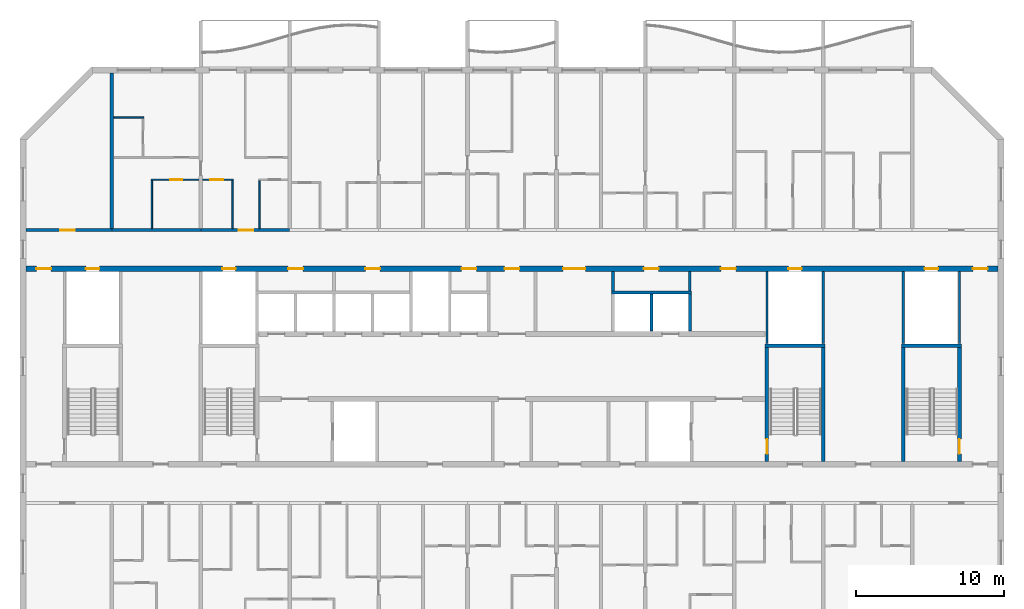
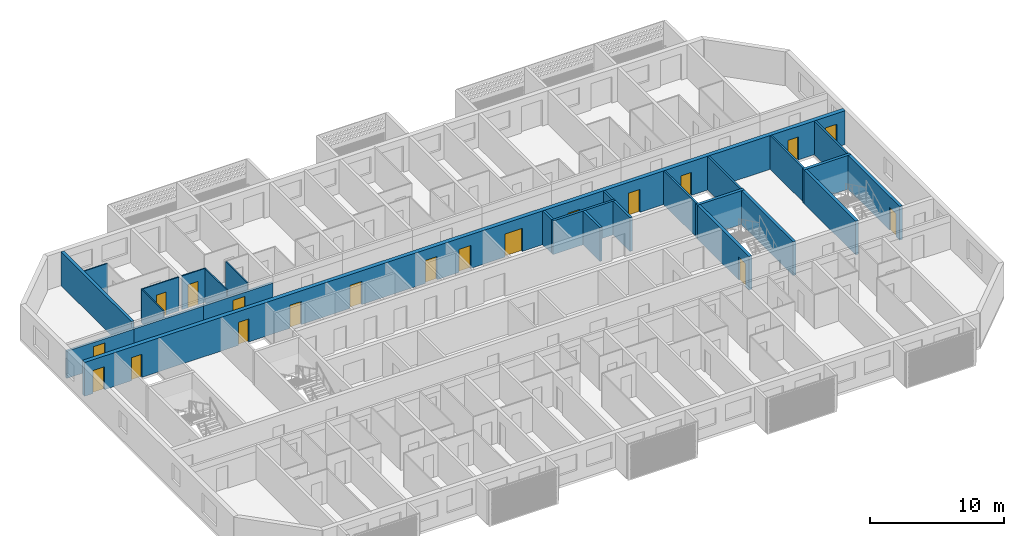
# One storey, part 7 of 26: 26 walls, 19 doors, 19 openings.
"""IFC4 building model written with IfcOpenShell, lengths in metres."""

from ifc_helpers import new_model, si_unit, direction, frame, frame_2d, origin, place, context, subcontext, project, spatial, rectangle, extrude, material, layer, layer_set, type_object, element, fill, save


model = new_model("IFC4")

# Units and contexts
model_context = context("Model", 3, precision=1e-05, world=origin(), true_north=direction((0.0, 1.0)))
body_context = subcontext(model_context, "Body", "Model", "MODEL_VIEW")
ifc_project = project(units=[si_unit("LENGTHUNIT", "METRE"), si_unit("AREAUNIT", "SQUARE_METRE"), si_unit("VOLUMEUNIT", "CUBIC_METRE"), si_unit("PLANEANGLEUNIT", "RADIAN"), si_unit("MASSUNIT", "GRAM", prefix="KILO")], contexts=[model_context])

# Site, building, storey
site_placement = place(None, origin())
site = spatial("IfcSite", under=ifc_project, at=site_placement, CompositionType="ELEMENT")
building_placement = place(site_placement, origin())
building = spatial("IfcBuilding", under=site, at=building_placement, Name="Poui Terraces", CompositionType="ELEMENT")
storey_placement = place(building_placement, frame((0.0, 0.0, 224.699951171875)))
storey = spatial("IfcBuildingStorey", under=building, at=storey_placement, Name="L62", CompositionType="ELEMENT", Elevation=224.699951171875)

# Wall, opening, door
ifc_material_1 = material(Name="Concrete 50 MPa", Category="concrete")
ifc_layer_1 = layer(ifc_material_1, 0.199951171875)
ifc_layer_set_1 = layer_set([ifc_layer_1], Name="Concrete 50 MPa")
wall_type_1 = type_object("IfcWallType", Name="CORRIDOR WALL 200 50MPa", PredefinedType="SHEAR", material=ifc_layer_set_1)
wall_1_placement = place(storey_placement, frame((18.199951171875, 30.39990234375, 0.0), z_axis=(0.0, 0.0, 1.0), x_axis=(1.0, 0.0, 0.0)))
wall_1 = element("IfcWall", 1, at=wall_1_placement, inside=storey, type_object=wall_type_1, Name="CORRIDOR WALL LINE E BAY 1", PredefinedType="SHEAR", context=body_context, shape_type="SweptSolid", body=[
    extrude(rectangle(XDim=5.800048828125, YDim=0.199951171875, at=frame_2d((2.89990234375, 0.0))), origin(), (0.0, 0.0, 1.0), 2.47998046875),
])
opening_1_placement = place(wall_1_placement, frame((2.300048828125, 0.0, 0.0)))
opening_1 = element("IfcOpeningElement", 2, at=opening_1_placement, cuts=wall_1, Name="Opening D100", PredefinedType="OPENING", context=body_context, shape_type="SweptSolid", body=[
    extrude(rectangle(XDim=1.0, YDim=2.10009765625, at=frame_2d((0.5, 1.050048828125))), frame((0.0, 0.10986328125, 0.0), z_axis=(0.0, -1.0, 0.0), x_axis=(1.0, 0.0, 0.0)), (0.0, 0.0, 1.0), 0.219970703125),
])
ifc_material_2 = material(Name="Solid core timber door", Category="wood")
door_type_1 = type_object("IfcDoorType", Name="ACCESSIBLE INTERNAL DOOR 1000 X 2100", OperationType="NOTDEFINED", PredefinedType="DOOR", material=ifc_material_2)
door_1_placement = place(opening_1_placement, origin())
door_1 = element("IfcDoor", 3, at=door_1_placement, inside=storey, type_object=door_type_1, Name="ACCESSIBLE INTERNAL DOOR 024", OperationType="SINGLE_SWING_LEFT", OverallHeight=2.10009765625, OverallWidth=1.0, PredefinedType="DOOR", context=body_context, shape_type="SweptSolid", body=[
    extrude(rectangle(XDim=1.0, YDim=2.10009765625, at=frame_2d((0.5, 1.050048828125))), frame((0.0, 0.02490234375, 0.0), z_axis=(0.0, -1.0, 0.0), x_axis=(1.0, 0.0, 0.0)), (0.0, 0.0, 1.0), 0.050048828125),
])
fill(opening_1, door_1)

# Wall
wall_2_placement = place(storey_placement, frame((24.0, 30.39990234375, 0.0), z_axis=(0.0, 0.0, 1.0), x_axis=(1.0, 0.0, 0.0)))
element("IfcWall", 4, at=wall_2_placement, inside=storey, type_object=wall_type_1, Name="CORRIDOR WALL LINE E BAY 2", PredefinedType="SHEAR", context=body_context, shape_type="SweptSolid", body=[
    extrude(rectangle(XDim=6.0, YDim=0.199951171875, at=frame_2d((3.0, 0.0))), origin(), (0.0, 0.0, 1.0), 2.47998046875),
])

# Wall, opening, door
wall_3_placement = place(storey_placement, frame((30.0, 30.39990234375, 0.0), z_axis=(0.0, 0.0, 1.0), x_axis=(1.0, 0.0, 0.0)))
wall_3 = element("IfcWall", 5, at=wall_3_placement, inside=storey, type_object=wall_type_1, Name="CORRIDOR WALL LINE E BAY 3", PredefinedType="SHEAR", context=body_context, shape_type="SweptSolid", body=[
    extrude(rectangle(XDim=6.0, YDim=0.199951171875, at=frame_2d((3.0, 0.0))), origin(), (0.0, 0.0, 1.0), 2.47998046875),
])
opening_2_placement = place(wall_3_placement, frame((2.550048828125, 0.0, 0.0)))
opening_2 = element("IfcOpeningElement", 6, at=opening_2_placement, cuts=wall_3, Name="Opening FD30S", PredefinedType="OPENING", context=body_context, shape_type="SweptSolid", body=[
    extrude(rectangle(XDim=1.0, YDim=2.10009765625, at=frame_2d((0.5, 1.050048828125))), frame((0.0, 0.10986328125, 0.0), z_axis=(0.0, -1.0, 0.0), x_axis=(1.0, 0.0, 0.0)), (0.0, 0.0, 1.0), 0.219970703125),
])
ifc_material_3 = material(Name="Steel fire door", Category="steel")
door_type_2 = type_object("IfcDoorType", Name="FLAT ENTRANCE DOOR 1000 X 2100", OperationType="NOTDEFINED", PredefinedType="DOOR", material=ifc_material_3)
door_2_placement = place(opening_2_placement, origin())
door_2 = element("IfcDoor", 7, at=door_2_placement, inside=storey, type_object=door_type_2, Name="FLAT ENTRANCE DOOR 029", OperationType="SINGLE_SWING_RIGHT", OverallHeight=2.10009765625, OverallWidth=1.0, PredefinedType="DOOR", context=body_context, shape_type="SweptSolid", body=[
    extrude(rectangle(XDim=1.0, YDim=2.10009765625, at=frame_2d((0.5, 1.050048828125))), frame((0.0, 0.02490234375, 0.0), z_axis=(0.0, -1.0, 0.0), x_axis=(1.0, 0.0, 0.0)), (0.0, 0.0, 1.0), 0.050048828125),
])
fill(opening_2, door_2)

# Wall
ifc_layer_2 = layer(ifc_material_1, 0.25)
ifc_layer_set_2 = layer_set([ifc_layer_2], Name="Concrete 50 MPa")
wall_type_2 = type_object("IfcWallType", Name="CROSS WALL 250 50MPa", PredefinedType="SHEAR", material=ifc_layer_set_2)
wall_4_placement = place(storey_placement, frame((24.0, 30.5, 0.0), z_axis=(0.0, 0.0, 1.0), x_axis=(0.0, 1.0, 0.0)))
element("IfcWall", 8, at=wall_4_placement, inside=storey, type_object=wall_type_2, Name="CROSS WALL LINE 5 NORTH", PredefinedType="SHEAR", context=body_context, shape_type="SweptSolid", body=[
    extrude(rectangle(XDim=10.5, YDim=0.25, at=frame_2d((5.25, 0.0))), origin(), (0.0, 0.0, 1.0), 3.080078125),
])

# Wall, opening, door
ifc_material_4 = material(Name="Plasterboard partition")
ifc_layer_3 = layer(ifc_material_4, 0.10009765625)
ifc_layer_set_3 = layer_set([ifc_layer_3], Name="Plasterboard partition")
wall_type_3 = type_object("IfcWallType", Name="FLAT PARTITION 100", PredefinedType="PARTITIONING", material=ifc_layer_set_3)
wall_5_placement = place(storey_placement, frame((26.64990234375, 33.800048828125, 0.0), z_axis=(0.0, 0.0, 1.0), x_axis=(1.0, 0.0, 0.0)))
wall_5 = element("IfcWall", 9, at=wall_5_placement, inside=storey, type_object=wall_type_3, Name="FLAT PARTITION 100", PredefinedType="PARTITIONING", context=body_context, shape_type="SweptSolid", body=[
    extrude(rectangle(XDim=3.215087890625, YDim=0.10009765625, at=frame_2d((1.607421875, 0.0))), origin(), (0.0, 0.0, 1.0), 3.080078125),
])
opening_3_placement = place(wall_5_placement, frame((1.300048828125, 0.0, 0.0)))
opening_3 = element("IfcOpeningElement", 10, at=opening_3_placement, cuts=wall_5, Name="Opening D80", PredefinedType="OPENING", context=body_context, shape_type="SweptSolid", body=[
    extrude(rectangle(XDim=0.800048828125, YDim=2.10009765625, at=frame_2d((0.39990234375, 1.050048828125))), frame((0.0, 0.06005859375, 0.0), z_axis=(0.0, -1.0, 0.0), x_axis=(1.0, 0.0, 0.0)), (0.0, 0.0, 1.0), 0.1201171875),
])
door_type_3 = type_object("IfcDoorType", Name="BATHROOM, LAUNDRY AND STORE DOOR 800 X 2100", OperationType="NOTDEFINED", PredefinedType="DOOR", material=ifc_material_2)
door_3_placement = place(opening_3_placement, origin())
door_3 = element("IfcDoor", 11, at=door_3_placement, inside=storey, type_object=door_type_3, Name="BATHROOM, LAUNDRY AND STORE DOOR 025", OperationType="SINGLE_SWING_LEFT", OverallHeight=2.10009765625, OverallWidth=0.800048828125, PredefinedType="DOOR", context=body_context, shape_type="SweptSolid", body=[
    extrude(rectangle(XDim=0.800048828125, YDim=2.10009765625, at=frame_2d((0.39990234375, 1.050048828125))), frame((0.0, 0.02490234375, 0.0), z_axis=(0.0, -1.0, 0.0), x_axis=(1.0, 0.0, 0.0)), (0.0, 0.0, 1.0), 0.050048828125),
])
fill(opening_3, door_3)

wall_6_placement = place(storey_placement, frame((30.135009765625, 33.800048828125, 0.0), z_axis=(0.0, 0.0, 1.0), x_axis=(1.0, 0.0, 0.0)))
wall_6 = element("IfcWall", 12, at=wall_6_placement, inside=storey, type_object=wall_type_3, Name="FLAT PARTITION 100", PredefinedType="PARTITIONING", context=body_context, shape_type="SweptSolid", body=[
    extrude(rectangle(XDim=2.06494140625, YDim=0.10009765625, at=frame_2d((1.032470703125, 0.0))), origin(), (0.0, 0.0, 1.0), 3.080078125),
])
opening_4_placement = place(wall_6_placement, frame((0.489990234375, 0.0, 0.0)))
opening_4 = element("IfcOpeningElement", 13, at=opening_4_placement, cuts=wall_6, Name="Opening D90", PredefinedType="OPENING", context=body_context, shape_type="SweptSolid", body=[
    extrude(rectangle(XDim=0.89990234375, YDim=2.10009765625, at=frame_2d((0.449951171875, 1.050048828125))), frame((0.0, 0.06005859375, 0.0), z_axis=(0.0, -1.0, 0.0), x_axis=(1.0, 0.0, 0.0)), (0.0, 0.0, 1.0), 0.1201171875),
])
door_type_4 = type_object("IfcDoorType", Name="INTERNAL DOOR 900 X 2100", OperationType="NOTDEFINED", PredefinedType="DOOR", material=ifc_material_2)
door_4_placement = place(opening_4_placement, frame((0.89990234375, 0.0, 0.0), z_axis=(0.0, 0.0, 1.0), x_axis=(-1.0, 0.0, 0.0)))
door_4 = element("IfcDoor", 14, at=door_4_placement, inside=storey, type_object=door_type_4, Name="INTERNAL DOOR 028", OperationType="SINGLE_SWING_RIGHT", OverallHeight=2.10009765625, OverallWidth=0.89990234375, PredefinedType="DOOR", context=body_context, shape_type="SweptSolid", body=[
    extrude(rectangle(XDim=0.89990234375, YDim=2.10009765625, at=frame_2d((0.449951171875, 1.050048828125))), frame((0.0, 0.02490234375, 0.0), z_axis=(0.0, -1.0, 0.0), x_axis=(1.0, 0.0, 0.0)), (0.0, 0.0, 1.0), 0.050048828125),
])
fill(opening_4, door_4)

# Walls
wall_7_placement = place(storey_placement, frame((24.135009765625, 38.0, 0.0), z_axis=(0.0, 0.0, 1.0), x_axis=(1.0, 0.0, 0.0)))
element("IfcWall", 15, at=wall_7_placement, inside=storey, type_object=wall_type_3, Name="FLAT PARTITION 100", PredefinedType="PARTITIONING", context=body_context, shape_type="SweptSolid", body=[
    extrude(rectangle(XDim=2.014892578125, YDim=0.10009765625, at=frame_2d((1.00732421875, 0.0))), origin(), (0.0, 0.0, 1.0), 3.080078125),
])
for number, where, z_axis, x_axis, name in (
    (16, (26.699951171875, 30.510009765625, 0.0), (0.0, 0.0, 1.0), (0.0, 1.0, 0.0), "FLAT PARTITION 100"),
    (17, (32.14990234375, 30.510009765625, 0.0), (0.0, 0.0, 1.0), (0.0, 1.0, 0.0), "FLAT PARTITION 100"),
    (18, (33.949951171875, 30.510009765625, 0.0), (0.0, 0.0, 1.0), (0.0, 1.0, 0.0), "FLAT PARTITION 100"),
):
    element("IfcWall", number, at=place(storey_placement, frame(where, z_axis=z_axis, x_axis=x_axis)), inside=storey, type_object=wall_type_3, Name=name, PredefinedType="PARTITIONING", context=body_context, shape_type="SweptSolid", body=[
        extrude(rectangle(XDim=3.239990234375, YDim=0.10009765625, at=frame_2d((1.6201171875, 0.0))), origin(), (0.0, 0.0, 1.0), 3.080078125),
    ])
ifc_layer_4 = layer(ifc_material_4, 0.14990234375)
ifc_layer_set_4 = layer_set([ifc_layer_4], Name="Plasterboard partition")
wall_type_4 = type_object("IfcWallType", Name="PARTITION WALL 150", PredefinedType="PARTITIONING", material=ifc_layer_set_4)
wall_8_placement = place(storey_placement, frame((63.0, 26.300048828125, 0.0), z_axis=(0.0, 0.0, 1.0), x_axis=(0.0, 1.0, 0.0)))
element("IfcWall", 19, at=wall_8_placement, inside=storey, type_object=wall_type_4, Name="PARTITION WALL 150", PredefinedType="PARTITIONING", context=body_context, shape_type="SweptSolid", body=[
    extrude(rectangle(XDim=1.31494140625, YDim=0.14990234375, at=frame_2d((0.657470703125, 0.0))), origin(), (0.0, 0.0, 1.0), 3.080078125),
])
ifc_material_5 = material(Name="Fire-rated masonry wall", Category="masonry")
ifc_layer_5 = layer(ifc_material_5, 0.199951171875)
ifc_layer_set_5 = layer_set([ifc_layer_5], Name="Fire-rated masonry wall")
wall_type_5 = type_object("IfcWallType", Name="PLANT ROOM WALL 200", PredefinedType="PARTITIONING", material=ifc_layer_set_5)
wall_9_placement = place(storey_placement, frame((57.800048828125, 26.300048828125, 0.0), z_axis=(0.0, 0.0, 1.0), x_axis=(0.0, 1.0, 0.0)))
element("IfcWall", 20, at=wall_9_placement, inside=storey, type_object=wall_type_5, Name="PLANT ROOM WALL 200", PredefinedType="PARTITIONING", context=body_context, shape_type="SweptSolid", body=[
    extrude(rectangle(XDim=1.31494140625, YDim=0.199951171875, at=frame_2d((0.657470703125, 0.0))), origin(), (0.0, 0.0, 1.0), 3.080078125),
])
ifc_material_6 = material(Name="Fire-rated plasterboard riser wall")
ifc_layer_6 = layer(ifc_material_6, 0.14990234375)
ifc_layer_set_6 = layer_set([ifc_layer_6], Name="Fire-rated plasterboard riser wall")
wall_type_6 = type_object("IfcWallType", Name="RISER WALL 150", PredefinedType="PARTITIONING", material=ifc_layer_set_6)
for number, where, z_axis, x_axis, name in (
    (21, (68.199951171875, 22.735107421875, 0.0), (0.0, 0.0, 1.0), (0.0, 1.0, 0.0), "RISER WALL 150"),
    (22, (72.0, 22.735107421875, 0.0), (0.0, 0.0, 1.0), (0.0, 1.0, 0.0), "RISER WALL 150"),
    (23, (77.39990234375, 22.735107421875, 0.0), (0.0, 0.0, 1.0), (0.0, 1.0, 0.0), "RISER WALL 150"),
    (24, (81.199951171875, 22.735107421875, 0.0), (0.0, 0.0, 1.0), (0.0, 1.0, 0.0), "RISER WALL 150"),
):
    element("IfcWall", number, at=place(storey_placement, frame(where, z_axis=z_axis, x_axis=x_axis)), inside=storey, type_object=wall_type_6, Name=name, PredefinedType="PARTITIONING", context=body_context, shape_type="SweptSolid", body=[
        extrude(rectangle(XDim=4.8798828125, YDim=0.14990234375, at=frame_2d((2.43994140625, 0.0))), origin(), (0.0, 0.0, 1.0), 3.080078125),
    ])
ifc_material_7 = material(Name="Fire-rated masonry shaft wall", Category="masonry")
ifc_layer_7 = layer(ifc_material_7, 0.199951171875)
ifc_layer_set_7 = layer_set([ifc_layer_7], Name="Fire-rated masonry shaft wall")
wall_type_7 = type_object("IfcWallType", Name="SHAFT WALL 200", PredefinedType="PARTITIONING", material=ifc_layer_set_7)
wall_10_placement = place(storey_placement, frame((57.699951171875, 26.199951171875, 0.0), z_axis=(0.0, 0.0, 1.0), x_axis=(1.0, 0.0, 0.0)))
element("IfcWall", 25, at=wall_10_placement, inside=storey, type_object=wall_type_7, Name="SHAFT WALL 200", PredefinedType="PARTITIONING", context=body_context, shape_type="SweptSolid", body=[
    extrude(rectangle(XDim=5.400146484375, YDim=0.199951171875, at=frame_2d((2.7001953125, 0.0))), origin(), (0.0, 0.0, 1.0), 3.080078125),
])
for number, where, z_axis, x_axis, name in (
    (26, (60.39990234375, 23.5849609375, 0.0), (0.0, 0.0, 1.0), (0.0, 1.0, 0.0), "SHAFT WALL 200"),
    (27, (63.0, 23.5849609375, 0.0), (0.0, 0.0, 1.0), (0.0, 1.0, 0.0), "SHAFT WALL 200"),
):
    element("IfcWall", number, at=place(storey_placement, frame(where, z_axis=z_axis, x_axis=x_axis)), inside=storey, type_object=wall_type_7, Name=name, PredefinedType="PARTITIONING", context=body_context, shape_type="SweptSolid", body=[
        extrude(rectangle(XDim=2.51513671875, YDim=0.199951171875, at=frame_2d((1.257568359375, 0.0))), origin(), (0.0, 0.0, 1.0), 3.080078125),
    ])

# Wall, openings, doors
ifc_layer_8 = layer(ifc_material_1, 0.35009765625)
ifc_layer_set_8 = layer_set([ifc_layer_8], Name="Concrete 50 MPa")
wall_type_8 = type_object("IfcWallType", Name="SPINE WALL 350 50 MPA", PredefinedType="SOLIDWALL", material=ifc_layer_set_8)
wall_11_placement = place(storey_placement, frame((18.199951171875, 27.800048828125, 0.0), z_axis=(0.0, 0.0, 1.0), x_axis=(1.0, 0.0, 0.0)))
wall_11 = element("IfcWall", 28, at=wall_11_placement, inside=storey, type_object=wall_type_8, Name="SPINE WALL", PredefinedType="SOLIDWALL", context=body_context, shape_type="SweptSolid", body=[
    extrude(rectangle(XDim=65.60009765625, YDim=0.35009765625, at=frame_2d((32.800048828125, 0.0))), origin(), (0.0, 0.0, 1.0), 3.080078125),
])
opening_5_placement = place(wall_11_placement, frame((0.699951171875, 0.0, 0.0)))
opening_5 = element("IfcOpeningElement", 29, at=opening_5_placement, cuts=wall_11, Name="Opening FDL", PredefinedType="OPENING", context=body_context, shape_type="SweptSolid", body=[
    extrude(rectangle(XDim=1.0, YDim=2.10009765625, at=frame_2d((0.5, 1.050048828125))), frame((0.0, 0.18505859375, 0.0), z_axis=(0.0, -1.0, 0.0), x_axis=(1.0, 0.0, 0.0)), (0.0, 0.0, 1.0), 0.3701171875),
])
opening_6_placement = place(wall_11_placement, frame((4.050048828125, 0.0, 0.0)))
opening_6 = element("IfcOpeningElement", 30, at=opening_6_placement, cuts=wall_11, Name="Opening FDR", PredefinedType="OPENING", context=body_context, shape_type="SweptSolid", body=[
    extrude(rectangle(XDim=0.89990234375, YDim=2.10009765625, at=frame_2d((0.449951171875, 1.050048828125))), frame((0.0, 0.18505859375, 0.0), z_axis=(0.0, -1.0, 0.0), x_axis=(1.0, 0.0, 0.0)), (0.0, 0.0, 1.0), 0.3701171875),
])
opening_7_placement = place(wall_11_placement, frame((13.25, 0.0, 0.0)))
opening_7 = element("IfcOpeningElement", 31, at=opening_7_placement, cuts=wall_11, Name="Opening FDR", PredefinedType="OPENING", context=body_context, shape_type="SweptSolid", body=[
    extrude(rectangle(XDim=0.89990234375, YDim=2.10009765625, at=frame_2d((0.449951171875, 1.050048828125))), frame((0.0, 0.18505859375, 0.0), z_axis=(0.0, -1.0, 0.0), x_axis=(1.0, 0.0, 0.0)), (0.0, 0.0, 1.0), 0.3701171875),
])
opening_8_placement = place(wall_11_placement, frame((17.699951171875, 0.0, 0.0)))
opening_8 = element("IfcOpeningElement", 32, at=opening_8_placement, cuts=wall_11, Name="Opening FD60", PredefinedType="OPENING", context=body_context, shape_type="SweptSolid", body=[
    extrude(rectangle(XDim=1.0, YDim=2.10009765625, at=frame_2d((0.5, 1.050048828125))), frame((0.0, 0.18505859375, 0.0), z_axis=(0.0, -1.0, 0.0), x_axis=(1.0, 0.0, 0.0)), (0.0, 0.0, 1.0), 0.3701171875),
])
opening_9_placement = place(wall_11_placement, frame((22.89990234375, 0.0, 0.0)))
opening_9 = element("IfcOpeningElement", 33, at=opening_9_placement, cuts=wall_11, Name="Opening FD60", PredefinedType="OPENING", context=body_context, shape_type="SweptSolid", body=[
    extrude(rectangle(XDim=1.0, YDim=2.10009765625, at=frame_2d((0.5, 1.050048828125))), frame((0.0, 0.18505859375, 0.0), z_axis=(0.0, -1.0, 0.0), x_axis=(1.0, 0.0, 0.0)), (0.0, 0.0, 1.0), 0.3701171875),
])
opening_10_placement = place(wall_11_placement, frame((29.39990234375, 0.0, 0.0)))
opening_10 = element("IfcOpeningElement", 34, at=opening_10_placement, cuts=wall_11, Name="Opening FD60", PredefinedType="OPENING", context=body_context, shape_type="SweptSolid", body=[
    extrude(rectangle(XDim=1.0, YDim=2.10009765625, at=frame_2d((0.5, 1.050048828125))), frame((0.0, 0.18505859375, 0.0), z_axis=(0.0, -1.0, 0.0), x_axis=(1.0, 0.0, 0.0)), (0.0, 0.0, 1.0), 0.3701171875),
])
opening_11_placement = place(wall_11_placement, frame((32.300048828125, 0.0, 0.0)))
opening_11 = element("IfcOpeningElement", 35, at=opening_11_placement, cuts=wall_11, Name="Opening FDL", PredefinedType="OPENING", context=body_context, shape_type="SweptSolid", body=[
    extrude(rectangle(XDim=1.0, YDim=2.10009765625, at=frame_2d((0.5, 1.050048828125))), frame((0.0, 0.18505859375, 0.0), z_axis=(0.0, -1.0, 0.0), x_axis=(1.0, 0.0, 0.0)), (0.0, 0.0, 1.0), 0.3701171875),
])
opening_12_placement = place(wall_11_placement, frame((36.25, 0.0, 0.0)))
opening_12 = element("IfcOpeningElement", 36, at=opening_12_placement, cuts=wall_11, Name="Opening FDP", PredefinedType="OPENING", context=body_context, shape_type="SweptSolid", body=[
    extrude(rectangle(XDim=1.5, YDim=2.10009765625, at=frame_2d((0.75, 1.050048828125))), frame((0.0, 0.18505859375, 0.0), z_axis=(0.0, -1.0, 0.0), x_axis=(1.0, 0.0, 0.0)), (0.0, 0.0, 1.0), 0.3701171875),
])
opening_13_placement = place(wall_11_placement, frame((41.699951171875, 0.0, 0.0)))
opening_13 = element("IfcOpeningElement", 37, at=opening_13_placement, cuts=wall_11, Name="Opening FD60", PredefinedType="OPENING", context=body_context, shape_type="SweptSolid", body=[
    extrude(rectangle(XDim=1.0, YDim=2.10009765625, at=frame_2d((0.5, 1.050048828125))), frame((0.0, 0.18505859375, 0.0), z_axis=(0.0, -1.0, 0.0), x_axis=(1.0, 0.0, 0.0)), (0.0, 0.0, 1.0), 0.3701171875),
])
opening_14_placement = place(wall_11_placement, frame((46.89990234375, 0.0, 0.0)))
opening_14 = element("IfcOpeningElement", 38, at=opening_14_placement, cuts=wall_11, Name="Opening FD60", PredefinedType="OPENING", context=body_context, shape_type="SweptSolid", body=[
    extrude(rectangle(XDim=1.0, YDim=2.10009765625, at=frame_2d((0.5, 1.050048828125))), frame((0.0, 0.18505859375, 0.0), z_axis=(0.0, -1.0, 0.0), x_axis=(1.0, 0.0, 0.0)), (0.0, 0.0, 1.0), 0.3701171875),
])
opening_15_placement = place(wall_11_placement, frame((51.449951171875, 0.0, 0.0)))
opening_15 = element("IfcOpeningElement", 39, at=opening_15_placement, cuts=wall_11, Name="Opening FDR", PredefinedType="OPENING", context=body_context, shape_type="SweptSolid", body=[
    extrude(rectangle(XDim=0.89990234375, YDim=2.10009765625, at=frame_2d((0.449951171875, 1.050048828125))), frame((0.0, 0.18505859375, 0.0), z_axis=(0.0, -1.0, 0.0), x_axis=(1.0, 0.0, 0.0)), (0.0, 0.0, 1.0), 0.3701171875),
])
opening_16_placement = place(wall_11_placement, frame((60.64990234375, 0.0, 0.0)))
opening_16 = element("IfcOpeningElement", 40, at=opening_16_placement, cuts=wall_11, Name="Opening FDR", PredefinedType="OPENING", context=body_context, shape_type="SweptSolid", body=[
    extrude(rectangle(XDim=0.89990234375, YDim=2.10009765625, at=frame_2d((0.449951171875, 1.050048828125))), frame((0.0, 0.18505859375, 0.0), z_axis=(0.0, -1.0, 0.0), x_axis=(1.0, 0.0, 0.0)), (0.0, 0.0, 1.0), 0.3701171875),
])
opening_17_placement = place(wall_11_placement, frame((63.89990234375, 0.0, 0.0)))
opening_17 = element("IfcOpeningElement", 41, at=opening_17_placement, cuts=wall_11, Name="Opening FDL", PredefinedType="OPENING", context=body_context, shape_type="SweptSolid", body=[
    extrude(rectangle(XDim=1.0, YDim=2.10009765625, at=frame_2d((0.5, 1.050048828125))), frame((0.0, 0.18505859375, 0.0), z_axis=(0.0, -1.0, 0.0), x_axis=(1.0, 0.0, 0.0)), (0.0, 0.0, 1.0), 0.3701171875),
])
door_type_5 = type_object("IfcDoorType", Name="LOBBY FIRE DOOR 1000 X 2100", OperationType="NOTDEFINED", PredefinedType="DOOR", material=ifc_material_3)
door_5_placement = place(opening_5_placement, origin())
door_5 = element("IfcDoor", 42, at=door_5_placement, inside=storey, type_object=door_type_5, Name="LOBBY FIRE DOOR 001", OperationType="SINGLE_SWING_LEFT", OverallHeight=2.10009765625, OverallWidth=1.0, PredefinedType="DOOR", context=body_context, shape_type="SweptSolid", body=[
    extrude(rectangle(XDim=1.0, YDim=2.10009765625, at=frame_2d((0.5, 1.050048828125))), frame((0.0, 0.02490234375, 0.0), z_axis=(0.0, -1.0, 0.0), x_axis=(1.0, 0.0, 0.0)), (0.0, 0.0, 1.0), 0.050048828125),
])
fill(opening_5, door_5)
door_6_placement = place(opening_11_placement, origin())
door_6 = element("IfcDoor", 43, at=door_6_placement, inside=storey, type_object=door_type_5, Name="LOBBY FIRE DOOR 007", OperationType="SINGLE_SWING_RIGHT", OverallHeight=2.10009765625, OverallWidth=1.0, PredefinedType="DOOR", context=body_context, shape_type="SweptSolid", body=[
    extrude(rectangle(XDim=1.0, YDim=2.10009765625, at=frame_2d((0.5, 1.050048828125))), frame((0.0, 0.02490234375, 0.0), z_axis=(0.0, -1.0, 0.0), x_axis=(1.0, 0.0, 0.0)), (0.0, 0.0, 1.0), 0.050048828125),
])
fill(opening_11, door_6)
door_7_placement = place(opening_17_placement, origin())
door_7 = element("IfcDoor", 44, at=door_7_placement, inside=storey, type_object=door_type_5, Name="LOBBY FIRE DOOR 013", OperationType="SINGLE_SWING_RIGHT", OverallHeight=2.10009765625, OverallWidth=1.0, PredefinedType="DOOR", context=body_context, shape_type="SweptSolid", body=[
    extrude(rectangle(XDim=1.0, YDim=2.10009765625, at=frame_2d((0.5, 1.050048828125))), frame((0.0, 0.02490234375, 0.0), z_axis=(0.0, -1.0, 0.0), x_axis=(1.0, 0.0, 0.0)), (0.0, 0.0, 1.0), 0.050048828125),
])
fill(opening_17, door_7)
door_type_6 = type_object("IfcDoorType", Name="PLANT ROOM DOOR PAIR 1500 X 2100", OperationType="DOUBLE_DOOR_SINGLE_SWING", PredefinedType="DOOR", material=ifc_material_3)
door_8_placement = place(opening_12_placement, origin())
door_8 = element("IfcDoor", 45, at=door_8_placement, inside=storey, type_object=door_type_6, Name="PLANT ROOM DOOR PAIR 008", OperationType="DOUBLE_DOOR_SINGLE_SWING", OverallHeight=2.10009765625, OverallWidth=1.5, PredefinedType="DOOR", context=body_context, shape_type="SweptSolid", body=[
    extrude(rectangle(XDim=1.5, YDim=2.10009765625, at=frame_2d((0.75, 1.050048828125))), frame((0.0, 0.02490234375, 0.0), z_axis=(0.0, -1.0, 0.0), x_axis=(1.0, 0.0, 0.0)), (0.0, 0.0, 1.0), 0.050048828125),
])
fill(opening_12, door_8)
door_type_7 = type_object("IfcDoorType", Name="RISER CUPBOARD DOOR 900 X 2100", OperationType="NOTDEFINED", PredefinedType="DOOR", material=ifc_material_3)
door_9_placement = place(opening_6_placement, origin())
door_9 = element("IfcDoor", 46, at=door_9_placement, inside=storey, type_object=door_type_7, Name="RISER CUPBOARD DOOR 002", OperationType="SINGLE_SWING_LEFT", OverallHeight=2.10009765625, OverallWidth=0.89990234375, PredefinedType="DOOR", context=body_context, shape_type="SweptSolid", body=[
    extrude(rectangle(XDim=0.89990234375, YDim=2.10009765625, at=frame_2d((0.449951171875, 1.050048828125))), frame((0.0, 0.02490234375, 0.0), z_axis=(0.0, -1.0, 0.0), x_axis=(1.0, 0.0, 0.0)), (0.0, 0.0, 1.0), 0.050048828125),
])
fill(opening_6, door_9)
door_10_placement = place(opening_7_placement, origin())
door_10 = element("IfcDoor", 47, at=door_10_placement, inside=storey, type_object=door_type_7, Name="RISER CUPBOARD DOOR 003", OperationType="SINGLE_SWING_LEFT", OverallHeight=2.10009765625, OverallWidth=0.89990234375, PredefinedType="DOOR", context=body_context, shape_type="SweptSolid", body=[
    extrude(rectangle(XDim=0.89990234375, YDim=2.10009765625, at=frame_2d((0.449951171875, 1.050048828125))), frame((0.0, 0.02490234375, 0.0), z_axis=(0.0, -1.0, 0.0), x_axis=(1.0, 0.0, 0.0)), (0.0, 0.0, 1.0), 0.050048828125),
])
fill(opening_7, door_10)
door_11_placement = place(opening_15_placement, origin())
door_11 = element("IfcDoor", 48, at=door_11_placement, inside=storey, type_object=door_type_7, Name="RISER CUPBOARD DOOR 011", OperationType="SINGLE_SWING_RIGHT", OverallHeight=2.10009765625, OverallWidth=0.89990234375, PredefinedType="DOOR", context=body_context, shape_type="SweptSolid", body=[
    extrude(rectangle(XDim=0.89990234375, YDim=2.10009765625, at=frame_2d((0.449951171875, 1.050048828125))), frame((0.0, 0.02490234375, 0.0), z_axis=(0.0, -1.0, 0.0), x_axis=(1.0, 0.0, 0.0)), (0.0, 0.0, 1.0), 0.050048828125),
])
fill(opening_15, door_11)
door_12_placement = place(opening_16_placement, origin())
door_12 = element("IfcDoor", 49, at=door_12_placement, inside=storey, type_object=door_type_7, Name="RISER CUPBOARD DOOR 012", OperationType="SINGLE_SWING_RIGHT", OverallHeight=2.10009765625, OverallWidth=0.89990234375, PredefinedType="DOOR", context=body_context, shape_type="SweptSolid", body=[
    extrude(rectangle(XDim=0.89990234375, YDim=2.10009765625, at=frame_2d((0.449951171875, 1.050048828125))), frame((0.0, 0.02490234375, 0.0), z_axis=(0.0, -1.0, 0.0), x_axis=(1.0, 0.0, 0.0)), (0.0, 0.0, 1.0), 0.050048828125),
])
fill(opening_16, door_12)
door_type_8 = type_object("IfcDoorType", Name="SERVICE ROOM FIRE DOOR 1000 X 2100", OperationType="NOTDEFINED", PredefinedType="DOOR", material=ifc_material_3)
door_13_placement = place(opening_8_placement, origin())
door_13 = element("IfcDoor", 50, at=door_13_placement, inside=storey, type_object=door_type_8, Name="SERVICE ROOM FIRE DOOR 004", OperationType="SINGLE_SWING_RIGHT", OverallHeight=2.10009765625, OverallWidth=1.0, PredefinedType="DOOR", context=body_context, shape_type="SweptSolid", body=[
    extrude(rectangle(XDim=1.0, YDim=2.10009765625, at=frame_2d((0.5, 1.050048828125))), frame((0.0, 0.02490234375, 0.0), z_axis=(0.0, -1.0, 0.0), x_axis=(1.0, 0.0, 0.0)), (0.0, 0.0, 1.0), 0.050048828125),
])
fill(opening_8, door_13)
door_14_placement = place(opening_9_placement, origin())
door_14 = element("IfcDoor", 51, at=door_14_placement, inside=storey, type_object=door_type_8, Name="SERVICE ROOM FIRE DOOR 005", OperationType="SINGLE_SWING_LEFT", OverallHeight=2.10009765625, OverallWidth=1.0, PredefinedType="DOOR", context=body_context, shape_type="SweptSolid", body=[
    extrude(rectangle(XDim=1.0, YDim=2.10009765625, at=frame_2d((0.5, 1.050048828125))), frame((0.0, 0.02490234375, 0.0), z_axis=(0.0, -1.0, 0.0), x_axis=(1.0, 0.0, 0.0)), (0.0, 0.0, 1.0), 0.050048828125),
])
fill(opening_9, door_14)
door_15_placement = place(opening_10_placement, origin())
door_15 = element("IfcDoor", 52, at=door_15_placement, inside=storey, type_object=door_type_8, Name="SERVICE ROOM FIRE DOOR 006", OperationType="SINGLE_SWING_RIGHT", OverallHeight=2.10009765625, OverallWidth=1.0, PredefinedType="DOOR", context=body_context, shape_type="SweptSolid", body=[
    extrude(rectangle(XDim=1.0, YDim=2.10009765625, at=frame_2d((0.5, 1.050048828125))), frame((0.0, 0.02490234375, 0.0), z_axis=(0.0, -1.0, 0.0), x_axis=(1.0, 0.0, 0.0)), (0.0, 0.0, 1.0), 0.050048828125),
])
fill(opening_10, door_15)
door_16_placement = place(opening_13_placement, origin())
door_16 = element("IfcDoor", 53, at=door_16_placement, inside=storey, type_object=door_type_8, Name="SERVICE ROOM FIRE DOOR 009", OperationType="SINGLE_SWING_RIGHT", OverallHeight=2.10009765625, OverallWidth=1.0, PredefinedType="DOOR", context=body_context, shape_type="SweptSolid", body=[
    extrude(rectangle(XDim=1.0, YDim=2.10009765625, at=frame_2d((0.5, 1.050048828125))), frame((0.0, 0.02490234375, 0.0), z_axis=(0.0, -1.0, 0.0), x_axis=(1.0, 0.0, 0.0)), (0.0, 0.0, 1.0), 0.050048828125),
])
fill(opening_13, door_16)
door_17_placement = place(opening_14_placement, origin())
door_17 = element("IfcDoor", 54, at=door_17_placement, inside=storey, type_object=door_type_8, Name="SERVICE ROOM FIRE DOOR 010", OperationType="SINGLE_SWING_LEFT", OverallHeight=2.10009765625, OverallWidth=1.0, PredefinedType="DOOR", context=body_context, shape_type="SweptSolid", body=[
    extrude(rectangle(XDim=1.0, YDim=2.10009765625, at=frame_2d((0.5, 1.050048828125))), frame((0.0, 0.02490234375, 0.0), z_axis=(0.0, -1.0, 0.0), x_axis=(1.0, 0.0, 0.0)), (0.0, 0.0, 1.0), 0.050048828125),
])
fill(opening_14, door_17)

# Wall, opening, door
ifc_layer_9 = layer(ifc_material_1, 0.25)
ifc_layer_set_9 = layer_set([ifc_layer_9], Name="Concrete 50 MPa")
wall_type_9 = type_object("IfcWallType", Name="STAIR CORE WALL 250 50 MPA", PredefinedType="SOLIDWALL", material=ifc_layer_set_9)
wall_12_placement = place(storey_placement, frame((68.199951171875, 14.77490234375, 0.0), z_axis=(0.0, 0.0, 1.0), x_axis=(0.0, 1.0, 0.0)))
wall_12 = element("IfcWall", 55, at=wall_12_placement, inside=storey, type_object=wall_type_9, Name="STAIR CORE WALL", PredefinedType="SOLIDWALL", context=body_context, shape_type="SweptSolid", body=[
    extrude(rectangle(XDim=7.7001953125, YDim=0.25, at=frame_2d((3.85009765625, 0.0))), origin(), (0.0, 0.0, 1.0), 3.080078125),
])
opening_18_placement = place(wall_12_placement, frame((0.52490234375, 0.0, 0.0)))
opening_18 = element("IfcOpeningElement", 56, at=opening_18_placement, cuts=wall_12, Name="Opening FD60S", PredefinedType="OPENING", context=body_context, shape_type="SweptSolid", body=[
    extrude(rectangle(XDim=1.0, YDim=2.10009765625, at=frame_2d((0.5, 1.050048828125))), frame((0.0, 0.135009765625, 0.0), z_axis=(0.0, -1.0, 0.0), x_axis=(1.0, 0.0, 0.0)), (0.0, 0.0, 1.0), 0.27001953125),
])
door_type_9 = type_object("IfcDoorType", Name="STAIR DOOR 1000 X 2100", OperationType="NOTDEFINED", PredefinedType="DOOR", material=ifc_material_3)
door_18_placement = place(opening_18_placement, frame((1.0, 0.0, 0.0), z_axis=(0.0, 0.0, 1.0), x_axis=(-1.0, 0.0, 0.0)))
door_18 = element("IfcDoor", 57, at=door_18_placement, inside=storey, type_object=door_type_9, Name="STAIR DOOR 096", OperationType="SINGLE_SWING_LEFT", OverallHeight=2.10009765625, OverallWidth=1.0, PredefinedType="DOOR", context=body_context, shape_type="SweptSolid", body=[
    extrude(rectangle(XDim=1.0, YDim=2.10009765625, at=frame_2d((0.5, 1.050048828125))), frame((0.0, 0.02490234375, 0.0), z_axis=(0.0, -1.0, 0.0), x_axis=(1.0, 0.0, 0.0)), (0.0, 0.0, 1.0), 0.050048828125),
])
fill(opening_18, door_18)

# Walls
wall_13_placement = place(storey_placement, frame((72.0, 14.77490234375, 0.0), z_axis=(0.0, 0.0, 1.0), x_axis=(0.0, 1.0, 0.0)))
element("IfcWall", 58, at=wall_13_placement, inside=storey, type_object=wall_type_9, Name="STAIR CORE WALL", PredefinedType="SOLIDWALL", context=body_context, shape_type="SweptSolid", body=[
    extrude(rectangle(XDim=7.7001953125, YDim=0.25, at=frame_2d((3.85009765625, 0.0))), origin(), (0.0, 0.0, 1.0), 3.080078125),
])
wall_14_placement = place(storey_placement, frame((68.074951171875, 22.60009765625, 0.0), z_axis=(0.0, 0.0, 1.0), x_axis=(1.0, 0.0, 0.0)))
element("IfcWall", 59, at=wall_14_placement, inside=storey, type_object=wall_type_9, Name="STAIR CORE WALL", PredefinedType="SOLIDWALL", context=body_context, shape_type="SweptSolid", body=[
    extrude(rectangle(XDim=4.050048828125, YDim=0.25, at=frame_2d((2.02490234375, 0.0))), origin(), (0.0, 0.0, 1.0), 3.080078125),
])
wall_15_placement = place(storey_placement, frame((77.39990234375, 14.77490234375, 0.0), z_axis=(0.0, 0.0, 1.0), x_axis=(0.0, 1.0, 0.0)))
element("IfcWall", 60, at=wall_15_placement, inside=storey, type_object=wall_type_9, Name="STAIR CORE WALL", PredefinedType="SOLIDWALL", context=body_context, shape_type="SweptSolid", body=[
    extrude(rectangle(XDim=7.7001953125, YDim=0.25, at=frame_2d((3.85009765625, 0.0))), origin(), (0.0, 0.0, 1.0), 3.080078125),
])

# Wall, opening, door
wall_16_placement = place(storey_placement, frame((81.199951171875, 14.77490234375, 0.0), z_axis=(0.0, 0.0, 1.0), x_axis=(0.0, 1.0, 0.0)))
wall_16 = element("IfcWall", 61, at=wall_16_placement, inside=storey, type_object=wall_type_9, Name="STAIR CORE WALL", PredefinedType="SOLIDWALL", context=body_context, shape_type="SweptSolid", body=[
    extrude(rectangle(XDim=7.7001953125, YDim=0.25, at=frame_2d((3.85009765625, 0.0))), origin(), (0.0, 0.0, 1.0), 3.080078125),
])
opening_19_placement = place(wall_16_placement, frame((0.52490234375, 0.0, 0.0)))
opening_19 = element("IfcOpeningElement", 62, at=opening_19_placement, cuts=wall_16, Name="Opening FD60S", PredefinedType="OPENING", context=body_context, shape_type="SweptSolid", body=[
    extrude(rectangle(XDim=1.0, YDim=2.10009765625, at=frame_2d((0.5, 1.050048828125))), frame((0.0, 0.135009765625, 0.0), z_axis=(0.0, -1.0, 0.0), x_axis=(1.0, 0.0, 0.0)), (0.0, 0.0, 1.0), 0.27001953125),
])
door_19_placement = place(opening_19_placement, origin())
door_19 = element("IfcDoor", 63, at=door_19_placement, inside=storey, type_object=door_type_9, Name="STAIR DOOR 110", OperationType="SINGLE_SWING_LEFT", OverallHeight=2.10009765625, OverallWidth=1.0, PredefinedType="DOOR", context=body_context, shape_type="SweptSolid", body=[
    extrude(rectangle(XDim=1.0, YDim=2.10009765625, at=frame_2d((0.5, 1.050048828125))), frame((0.0, 0.02490234375, 0.0), z_axis=(0.0, -1.0, 0.0), x_axis=(1.0, 0.0, 0.0)), (0.0, 0.0, 1.0), 0.050048828125),
])
fill(opening_19, door_19)

# Wall
wall_17_placement = place(storey_placement, frame((77.27490234375, 22.60009765625, 0.0), z_axis=(0.0, 0.0, 1.0), x_axis=(1.0, 0.0, 0.0)))
element("IfcWall", 64, at=wall_17_placement, inside=storey, type_object=wall_type_9, Name="STAIR CORE WALL", PredefinedType="SOLIDWALL", context=body_context, shape_type="SweptSolid", body=[
    extrude(rectangle(XDim=4.050048828125, YDim=0.25, at=frame_2d((2.02490234375, 0.0))), origin(), (0.0, 0.0, 1.0), 3.080078125),
])

save(model, "model.ifc")
